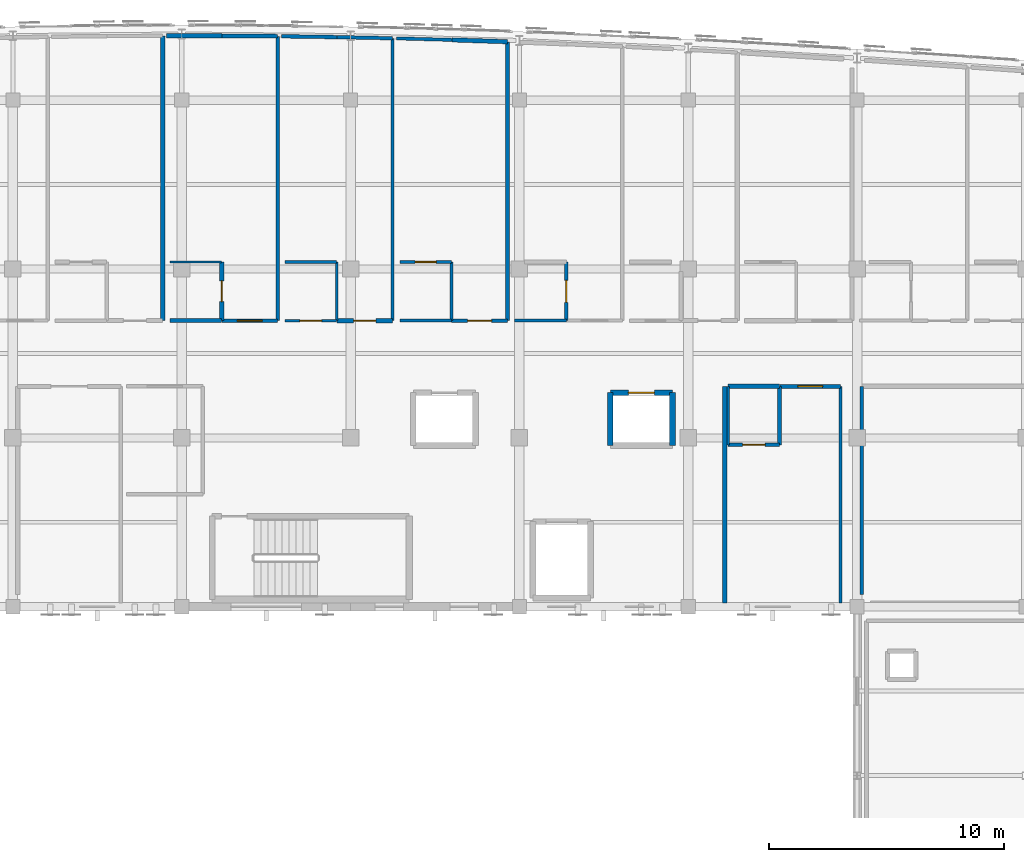
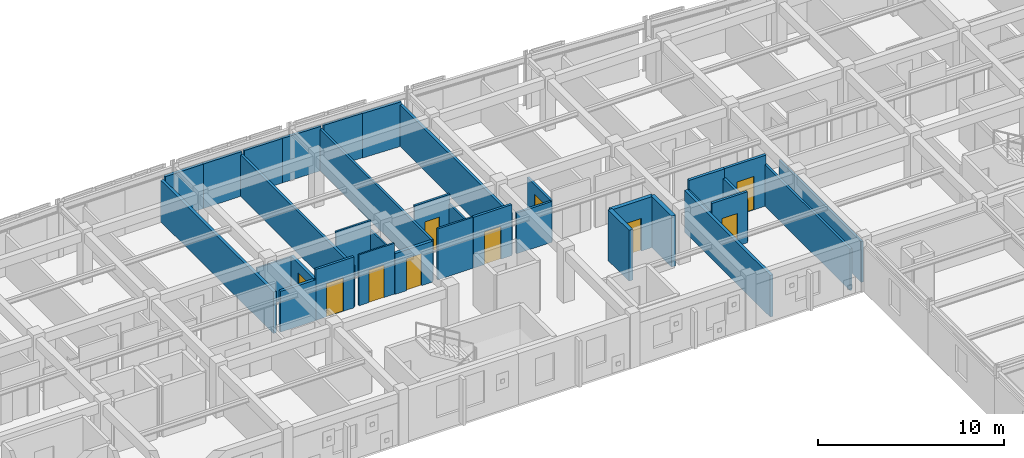
# One storey, part 63 of 73: 35 walls, 10 doors, 10 openings.
"""IFC4 building model written with IfcOpenShell, lengths in metres."""

from ifc_helpers import new_model, si_unit, direction, frame, frame_2d, origin, place, context, subcontext, project, spatial, rectangle, extrude, material, layer, layer_set, type_object, element, fill, save


model = new_model("IFC4")

# Units and contexts
model_context = context("Model", 3, precision=1e-05, world=origin(), true_north=direction((0.0, 1.0)))
body_context = subcontext(model_context, "Body", "Model", "MODEL_VIEW")
ifc_project = project(units=[si_unit("LENGTHUNIT", "METRE"), si_unit("AREAUNIT", "SQUARE_METRE"), si_unit("VOLUMEUNIT", "CUBIC_METRE"), si_unit("PLANEANGLEUNIT", "RADIAN"), si_unit("MASSUNIT", "GRAM", prefix="KILO")], contexts=[model_context])

# Site, building, storey
site_placement = place(None, origin())
site = spatial("IfcSite", under=ifc_project, at=site_placement, CompositionType="ELEMENT")
building_placement = place(site_placement, origin())
building = spatial("IfcBuilding", under=site, at=building_placement, Name="Carrowvane Square Congress Hotel", CompositionType="ELEMENT")
storey_placement = place(building_placement, frame((0.0, 0.0, 19.199951171875)))
storey = spatial("IfcBuildingStorey", under=building, at=storey_placement, Name="L04", CompositionType="ELEMENT", Elevation=19.199951171875)

# Wall, opening, door
ifc_material_1 = material(Name="Acoustic gypsum board", Category="gypsum")
ifc_layer_1 = layer(ifc_material_1, 0.155029296875)
ifc_layer_set_1 = layer_set([ifc_layer_1], Name="Acoustic gypsum board")
wall_type_1 = type_object("IfcWallType", Name="WL-FIR-155", PredefinedType="PARTITIONING", material=ifc_layer_set_1)
wall_1_placement = place(storey_placement, frame((123.5, 98.699951171875, 0.0), z_axis=(0.0, 0.0, 1.0), x_axis=(-1.0, 0.0, 0.0)))
wall_1 = element("IfcWall", 1, at=wall_1_placement, inside=storey, type_object=wall_type_1, Name="L04 En-suite Bathroom 0406 partition", PredefinedType="PARTITIONING", context=body_context, shape_type="SweptSolid", body=[
    extrude(rectangle(XDim=2.199951171875, YDim=0.155029296875, at=frame_2d((1.10009765625, 0.0))), origin(), (0.0, 0.0, 1.0), 3.35009765625),
])
opening_1_placement = place(wall_1_placement, frame((0.6201171875, 0.0, 0.0)))
opening_1 = element("IfcOpeningElement", 2, at=opening_1_placement, cuts=wall_1, Name="Opening ID-05", PredefinedType="OPENING", context=body_context, shape_type="SweptSolid", body=[
    extrude(rectangle(XDim=0.9599609375, YDim=2.139892578125, at=frame_2d((0.47998046875, 1.06982421875))), frame((0.0, 0.08740234375, 0.0), z_axis=(0.0, -1.0, 0.0), x_axis=(1.0, 0.0, 0.0)), (0.0, 0.0, 1.0), 0.175048828125),
])
ifc_material_2 = material(Name="European oak timber", Category="wood")
door_type_1 = type_object("IfcDoorType", Name="DR-INT-0960x2140", OperationType="NOTDEFINED", PredefinedType="DOOR", material=ifc_material_2)
door_1_placement = place(opening_1_placement, origin())
door_1 = element("IfcDoor", 3, at=door_1_placement, inside=storey, type_object=door_type_1, Name="L04 En-suite Bathroom 0406 door", OperationType="SINGLE_SWING_LEFT", OverallHeight=2.139892578125, OverallWidth=0.9599609375, PredefinedType="DOOR", context=body_context, shape_type="SweptSolid", body=[
    extrude(rectangle(XDim=0.9599609375, YDim=2.139892578125, at=frame_2d((0.47998046875, 1.06982421875))), frame((0.0, 0.02490234375, 0.0), z_axis=(0.0, -1.0, 0.0), x_axis=(1.0, 0.0, 0.0)), (0.0, 0.0, 1.0), 0.050048828125),
])
fill(opening_1, door_1)

# Walls
wall_2_placement = place(storey_placement, frame((102.090087890625, 116.125732421875, 0.0), z_axis=(0.0, 0.0, 1.0), x_axis=(0.0, -1.0, 0.0)))
element("IfcWall", 4, at=wall_2_placement, inside=storey, type_object=wall_type_1, Name="L04 Parkview Guest Bedroom 0416 partition", PredefinedType="PARTITIONING", context=body_context, shape_type="SweptSolid", body=[
    extrude(rectangle(XDim=12.125732421875, YDim=0.155029296875, at=frame_2d((6.06298828125, 0.0))), origin(), (0.0, 0.0, 1.0), 2.735107421875),
])
wall_3_placement = place(storey_placement, frame((102.25, 116.1240234375, 0.0), z_axis=(0.0, 0.0, 1.0), x_axis=(0.999891529441, -0.014728521705, 0.0)))
element("IfcWall", 5, at=wall_3_placement, inside=storey, type_object=wall_type_1, Name="L04 Parkview Guest Bedroom 0417 partition", PredefinedType="PARTITIONING", context=body_context, shape_type="SweptSolid", body=[
    extrude(rectangle(XDim=2.370361328125, YDim=0.155029296875, at=frame_2d((1.18505859375, 0.0))), origin(), (0.0, 0.0, 1.0), 2.925537109375),
])

# Wall, opening, door
wall_4_placement = place(storey_placement, frame((111.889892578125, 104.0, 0.0), z_axis=(0.0, 0.0, 1.0), x_axis=(-1.0, 0.0, 0.0)))
wall_4 = element("IfcWall", 6, at=wall_4_placement, inside=storey, type_object=wall_type_1, Name="L04 Parkview Guest Bedroom 0418 partition", PredefinedType="PARTITIONING", context=body_context, shape_type="SweptSolid", body=[
    extrude(rectangle(XDim=2.3798828125, YDim=0.155029296875, at=frame_2d((1.18994140625, 0.0))), origin(), (0.0, 0.0, 1.0), 3.35009765625),
])
opening_2_placement = place(wall_4_placement, frame((0.679931640625, 0.0, 0.0)))
opening_2 = element("IfcOpeningElement", 7, at=opening_2_placement, cuts=wall_4, Name="Opening FD-08", PredefinedType="OPENING", context=body_context, shape_type="SweptSolid", body=[
    extrude(rectangle(XDim=1.02001953125, YDim=2.14990234375, at=frame_2d((0.510009765625, 1.074951171875))), frame((0.0, 0.08740234375, 0.0), z_axis=(0.0, -1.0, 0.0), x_axis=(1.0, 0.0, 0.0)), (0.0, 0.0, 1.0), 0.175048828125),
])
ifc_material_3 = material(Name="European oak timber", Category="wood")
door_type_2 = type_object("IfcDoorType", Name="DR-FD30-1020x2150", OperationType="NOTDEFINED", PredefinedType="DOOR", material=ifc_material_3)
door_2_placement = place(opening_2_placement, origin())
door_2 = element("IfcDoor", 8, at=door_2_placement, inside=storey, type_object=door_type_2, Name="L04 Parkview Guest Bedroom 0418 entrance door", OperationType="SINGLE_SWING_RIGHT", OverallHeight=2.14990234375, OverallWidth=1.02001953125, PredefinedType="DOOR", context=body_context, shape_type="SweptSolid", body=[
    extrude(rectangle(XDim=1.02001953125, YDim=2.14990234375, at=frame_2d((0.510009765625, 1.074951171875))), frame((0.0, 0.02490234375, 0.0), z_axis=(0.0, -1.0, 0.0), x_axis=(1.0, 0.0, 0.0)), (0.0, 0.0, 1.0), 0.050048828125),
])
fill(opening_2, door_2)

# Wall
ifc_material_4 = material(Name="Acoustic gypsum board", Category="gypsum")
ifc_layer_2 = layer(ifc_material_4, 0.169921875)
ifc_layer_set_2 = layer_set([ifc_layer_2], Name="Acoustic gypsum board")
wall_type_2 = type_object("IfcWallType", Name="WL-FIR-170", PredefinedType="PARTITIONING", material=ifc_layer_set_2)
wall_5_placement = place(storey_placement, frame((123.5, 101.199951171875, 0.0), z_axis=(0.0, 0.0, 1.0), x_axis=(0.0, -1.0, 0.0)))
element("IfcWall", 9, at=wall_5_placement, inside=storey, type_object=wall_type_2, Name="L04 En-suite Bathroom 0406 partition", PredefinedType="PARTITIONING", context=body_context, shape_type="SweptSolid", body=[
    extrude(rectangle(XDim=2.5, YDim=0.169921875, at=frame_2d((1.25, 0.0))), origin(), (0.0, 0.0, 1.0), 2.735107421875),
])

# Wall, opening, door
wall_6_placement = place(storey_placement, frame((123.510009765625, 101.199951171875, 0.0), z_axis=(0.0, 0.0, 1.0), x_axis=(1.0, 0.0, 0.0)))
wall_6 = element("IfcWall", 10, at=wall_6_placement, inside=storey, type_object=wall_type_2, Name="L04 Hotel Guest Bedroom 0406 partition", PredefinedType="PARTITIONING", context=body_context, shape_type="SweptSolid", body=[
    extrude(rectangle(XDim=2.580078125, YDim=0.169921875, at=frame_2d((1.2900390625, 0.0))), origin(), (0.0, 0.0, 1.0), 3.35009765625),
])
opening_3_placement = place(wall_6_placement, frame((0.760009765625, 0.0, 0.0)))
opening_3 = element("IfcOpeningElement", 11, at=opening_3_placement, cuts=wall_6, Name="Opening FD-09", PredefinedType="OPENING", context=body_context, shape_type="SweptSolid", body=[
    extrude(rectangle(XDim=1.06005859375, YDim=2.199951171875, at=frame_2d((0.530029296875, 1.10009765625))), frame((0.0, 0.094970703125, 0.0), z_axis=(0.0, -1.0, 0.0), x_axis=(1.0, 0.0, 0.0)), (0.0, 0.0, 1.0), 0.18994140625),
])
ifc_material_5 = material(Name="European oak timber", Category="wood")
door_type_3 = type_object("IfcDoorType", Name="DR-FD30-1060x2200", OperationType="NOTDEFINED", PredefinedType="DOOR", material=ifc_material_5)
door_3_placement = place(opening_3_placement, origin())
door_3 = element("IfcDoor", 12, at=door_3_placement, inside=storey, type_object=door_type_3, Name="L04 Hotel Guest Bedroom 0406 entrance door", OperationType="SINGLE_SWING_RIGHT", OverallHeight=2.199951171875, OverallWidth=1.06005859375, PredefinedType="DOOR", context=body_context, shape_type="SweptSolid", body=[
    extrude(rectangle(XDim=1.06005859375, YDim=2.199951171875, at=frame_2d((0.530029296875, 1.10009765625))), frame((0.0, 0.02490234375, 0.0), z_axis=(0.0, -1.0, 0.0), x_axis=(1.0, 0.0, 0.0)), (0.0, 0.0, 1.0), 0.050048828125),
])
fill(opening_3, door_3)

# Walls
wall_7_placement = place(storey_placement, frame((99.699951171875, 104.0, 0.0), z_axis=(0.0, 0.0, 1.0), x_axis=(-1.0, 0.0, 0.0)))
element("IfcWall", 13, at=wall_7_placement, inside=storey, type_object=wall_type_2, Name="L04 En-suite Bathroom 0416 partition", PredefinedType="PARTITIONING", context=body_context, shape_type="SweptSolid", body=[
    extrude(rectangle(XDim=2.199951171875, YDim=0.169921875, at=frame_2d((1.10009765625, 0.0))), origin(), (0.0, 0.0, 1.0), 2.68505859375),
])
wall_8_placement = place(storey_placement, frame((99.719970703125, 116.144287109375, 0.0), z_axis=(0.0, 0.0, 1.0), x_axis=(0.999969357959, -0.007828355089, 0.0)))
element("IfcWall", 14, at=wall_8_placement, inside=storey, type_object=wall_type_2, Name="L04 Parkview Guest Bedroom 0416 partition", PredefinedType="PARTITIONING", context=body_context, shape_type="SweptSolid", body=[
    extrude(rectangle(XDim=2.3701171875, YDim=0.169921875, at=frame_2d((1.18505859375, 0.0))), origin(), (0.0, 0.0, 1.0), 2.925537109375),
])
wall_9_placement = place(storey_placement, frame((111.889892578125, 115.8916015625, 0.0), z_axis=(0.0, 0.0, 1.0), x_axis=(0.0, -1.0, 0.0)))
element("IfcWall", 15, at=wall_9_placement, inside=storey, type_object=wall_type_2, Name="L04 Parkview Guest Bedroom 0418 partition", PredefinedType="PARTITIONING", context=body_context, shape_type="SweptSolid", body=[
    extrude(rectangle(XDim=11.8916015625, YDim=0.169921875, at=frame_2d((5.94580078125, 0.0))), origin(), (0.0, 0.0, 1.0), 2.735107421875),
])
ifc_material_6 = material(Name="Acoustic gypsum board", Category="gypsum")
ifc_layer_3 = layer(ifc_material_6, 0.18505859375)
ifc_layer_set_3 = layer_set([ifc_layer_3], Name="Acoustic gypsum board")
wall_type_3 = type_object("IfcWallType", Name="WL-FIR-185", PredefinedType="PARTITIONING", material=ifc_layer_set_3)
wall_10_placement = place(storey_placement, frame((121.300048828125, 101.199951171875, 0.0), z_axis=(0.0, 0.0, 1.0), x_axis=(1.0, 0.0, 0.0)))
element("IfcWall", 16, at=wall_10_placement, inside=storey, type_object=wall_type_3, Name="L04 En-suite Bathroom 0406 partition", PredefinedType="PARTITIONING", context=body_context, shape_type="SweptSolid", body=[
    extrude(rectangle(XDim=2.199951171875, YDim=0.18505859375, at=frame_2d((1.10009765625, 0.0))), origin(), (0.0, 0.0, 1.0), 3.35009765625),
])
wall_11_placement = place(storey_placement, frame((121.14990234375, 91.9599609375, 0.0), z_axis=(0.0, 0.0, 1.0), x_axis=(0.0, 1.0, 0.0)))
element("IfcWall", 17, at=wall_11_placement, inside=storey, type_object=wall_type_3, Name="L04 Hotel Guest Bedroom 0406 partition", PredefinedType="PARTITIONING", context=body_context, shape_type="SweptSolid", body=[
    extrude(rectangle(XDim=9.239990234375, YDim=0.18505859375, at=frame_2d((4.6201171875, 0.0))), origin(), (0.0, 0.0, 1.0), 2.735107421875),
])
wall_12_placement = place(storey_placement, frame((97.18994140625, 116.1474609375, 0.0), z_axis=(0.0, 0.0, 1.0), x_axis=(0.0, -1.0, 0.0)))
element("IfcWall", 18, at=wall_12_placement, inside=storey, type_object=wall_type_3, Name="L04 Parkview Guest Bedroom 0415 partition", PredefinedType="PARTITIONING", context=body_context, shape_type="SweptSolid", body=[
    extrude(rectangle(XDim=12.1474609375, YDim=0.18505859375, at=frame_2d((6.07373046875, 0.0))), origin(), (0.0, 0.0, 1.0), 2.735107421875),
])

# Wall, opening, door
wall_13_placement = place(storey_placement, frame((99.699951171875, 106.5, 0.0), z_axis=(0.0, 0.0, 1.0), x_axis=(0.0, -1.0, 0.0)))
wall_13 = element("IfcWall", 19, at=wall_13_placement, inside=storey, type_object=wall_type_3, Name="L04 En-suite Bathroom 0416 partition", PredefinedType="PARTITIONING", context=body_context, shape_type="SweptSolid", body=[
    extrude(rectangle(XDim=2.5, YDim=0.18505859375, at=frame_2d((1.25, 0.0))), origin(), (0.0, 0.0, 1.0), 2.735107421875),
])
opening_4_placement = place(wall_13_placement, frame((0.804931640625, 0.0, 0.0)))
opening_4 = element("IfcOpeningElement", 20, at=opening_4_placement, cuts=wall_13, Name="Opening ID-16", PredefinedType="OPENING", context=body_context, shape_type="SweptSolid", body=[
    extrude(rectangle(XDim=0.889892578125, YDim=2.090087890625, at=frame_2d((0.44482421875, 1.044921875))), frame((0.0, 0.1025390625, 0.0), z_axis=(0.0, -1.0, 0.0), x_axis=(1.0, 0.0, 0.0)), (0.0, 0.0, 1.0), 0.205078125),
])
ifc_material_7 = material(Name="European oak timber", Category="wood")
door_type_4 = type_object("IfcDoorType", Name="DR-INT-0890x2090", OperationType="NOTDEFINED", PredefinedType="DOOR", material=ifc_material_7)
door_4_placement = place(opening_4_placement, origin())
door_4 = element("IfcDoor", 21, at=door_4_placement, inside=storey, type_object=door_type_4, Name="L04 En-suite Bathroom 0416 door", OperationType="SINGLE_SWING_LEFT", OverallHeight=2.090087890625, OverallWidth=0.889892578125, PredefinedType="DOOR", context=body_context, shape_type="SweptSolid", body=[
    extrude(rectangle(XDim=0.889892578125, YDim=2.090087890625, at=frame_2d((0.44482421875, 1.044921875))), frame((0.0, 0.02490234375, 0.0), z_axis=(0.0, -1.0, 0.0), x_axis=(1.0, 0.0, 0.0)), (0.0, 0.0, 1.0), 0.050048828125),
])
fill(opening_4, door_4)

# Wall
wall_14_placement = place(storey_placement, frame((97.35009765625, 116.14794921875, 0.0), z_axis=(0.0, 0.0, 1.0), x_axis=(0.999998806062, -0.00154527476, 0.0)))
element("IfcWall", 22, at=wall_14_placement, inside=storey, type_object=wall_type_3, Name="L04 Parkview Guest Bedroom 0416 partition", PredefinedType="PARTITIONING", context=body_context, shape_type="SweptSolid", body=[
    extrude(rectangle(XDim=2.369873046875, YDim=0.18505859375, at=frame_2d((1.18505859375, 0.0))), origin(), (0.0, 0.0, 1.0), 2.925537109375),
])

# Wall, opening, door
wall_15_placement = place(storey_placement, frame((106.989990234375, 104.0, 0.0), z_axis=(0.0, 0.0, 1.0), x_axis=(-1.0, 0.0, 0.0)))
wall_15 = element("IfcWall", 23, at=wall_15_placement, inside=storey, type_object=wall_type_3, Name="L04 Parkview Guest Bedroom 0417 partition", PredefinedType="PARTITIONING", context=body_context, shape_type="SweptSolid", body=[
    extrude(rectangle(XDim=2.3798828125, YDim=0.18505859375, at=frame_2d((1.18994140625, 0.0))), origin(), (0.0, 0.0, 1.0), 2.68505859375),
])
opening_5_placement = place(wall_15_placement, frame((0.715087890625, 0.0, 0.0)))
opening_5 = element("IfcOpeningElement", 24, at=opening_5_placement, cuts=wall_15, Name="Opening FD-06", PredefinedType="OPENING", context=body_context, shape_type="SweptSolid", body=[
    extrude(rectangle(XDim=0.949951171875, YDim=2.10009765625, at=frame_2d((0.47509765625, 1.050048828125))), frame((0.0, 0.1025390625, 0.0), z_axis=(0.0, -1.0, 0.0), x_axis=(1.0, 0.0, 0.0)), (0.0, 0.0, 1.0), 0.205078125),
])
ifc_material_8 = material(Name="European oak timber", Category="wood")
door_type_5 = type_object("IfcDoorType", Name="DR-FD30-0950x2100", OperationType="NOTDEFINED", PredefinedType="DOOR", material=ifc_material_8)
door_5_placement = place(opening_5_placement, origin())
door_5 = element("IfcDoor", 25, at=door_5_placement, inside=storey, type_object=door_type_5, Name="L04 Parkview Guest Bedroom 0417 entrance door", OperationType="SINGLE_SWING_RIGHT", OverallHeight=2.10009765625, OverallWidth=0.949951171875, PredefinedType="DOOR", context=body_context, shape_type="SweptSolid", body=[
    extrude(rectangle(XDim=0.949951171875, YDim=2.10009765625, at=frame_2d((0.47509765625, 1.050048828125))), frame((0.0, 0.02490234375, 0.0), z_axis=(0.0, -1.0, 0.0), x_axis=(1.0, 0.0, 0.0)), (0.0, 0.0, 1.0), 0.050048828125),
])
fill(opening_5, door_5)

# Walls
wall_16_placement = place(storey_placement, frame((109.52001953125, 115.970703125, 0.0), z_axis=(0.0, 0.0, 1.0), x_axis=(0.99944342042, -0.033359397158, 0.0)))
element("IfcWall", 26, at=wall_16_placement, inside=storey, type_object=wall_type_3, Name="L04 Parkview Guest Bedroom 0418 partition", PredefinedType="PARTITIONING", context=body_context, shape_type="SweptSolid", body=[
    extrude(rectangle(XDim=2.37109375, YDim=0.18505859375, at=frame_2d((1.185546875, 0.0))), origin(), (0.0, 0.0, 1.0), 2.925537109375),
])
ifc_material_9 = material(Name="Acoustic gypsum board", Category="gypsum")
ifc_layer_4 = layer(ifc_material_9, 0.097900390625)
ifc_layer_set_4 = layer_set([ifc_layer_4], Name="Acoustic gypsum board")
wall_type_4 = type_object("IfcWallType", Name="WL-PRT-098", PredefinedType="PARTITIONING", material=ifc_layer_set_4)
wall_17_placement = place(storey_placement, frame((121.300048828125, 98.699951171875, 0.0), z_axis=(0.0, 0.0, 1.0), x_axis=(0.0, 1.0, 0.0)))
element("IfcWall", 27, at=wall_17_placement, inside=storey, type_object=wall_type_4, Name="L04 En-suite Bathroom 0406 partition", PredefinedType="PARTITIONING", context=body_context, shape_type="SweptSolid", body=[
    extrude(rectangle(XDim=2.5, YDim=0.097900390625, at=frame_2d((1.25, 0.0))), origin(), (0.0, 0.0, 1.0), 2.735107421875),
])
wall_18_placement = place(storey_placement, frame((97.5, 106.5, 0.0), z_axis=(0.0, 0.0, 1.0), x_axis=(1.0, 0.0, 0.0)))
element("IfcWall", 28, at=wall_18_placement, inside=storey, type_object=wall_type_4, Name="L04 En-suite Bathroom 0416 partition", PredefinedType="PARTITIONING", context=body_context, shape_type="SweptSolid", body=[
    extrude(rectangle(XDim=2.199951171875, YDim=0.097900390625, at=frame_2d((1.10009765625, 0.0))), origin(), (0.0, 0.0, 1.0), 2.68505859375),
])

# Wall, opening, door
wall_19_placement = place(storey_placement, frame((104.60009765625, 104.0, 0.0), z_axis=(0.0, 0.0, 1.0), x_axis=(-1.0, 0.0, 0.0)))
wall_19 = element("IfcWall", 29, at=wall_19_placement, inside=storey, type_object=wall_type_4, Name="L04 En-suite Bathroom 0417 partition", PredefinedType="PARTITIONING", context=body_context, shape_type="SweptSolid", body=[
    extrude(rectangle(XDim=2.2001953125, YDim=0.097900390625, at=frame_2d((1.10009765625, 0.0))), origin(), (0.0, 0.0, 1.0), 3.35009765625),
])
opening_6_placement = place(wall_19_placement, frame((0.635009765625, 0.0, 0.0)))
opening_6 = element("IfcOpeningElement", 30, at=opening_6_placement, cuts=wall_19, Name="Opening ID-18", PredefinedType="OPENING", context=body_context, shape_type="SweptSolid", body=[
    extrude(rectangle(XDim=0.929931640625, YDim=2.1298828125, at=frame_2d((0.46484375, 1.06494140625))), frame((0.0, 0.058837890625, 0.0), z_axis=(0.0, -1.0, 0.0), x_axis=(1.0, 0.0, 0.0)), (0.0, 0.0, 1.0), 0.117919921875),
])
ifc_material_10 = material(Name="European oak timber", Category="wood")
door_type_6 = type_object("IfcDoorType", Name="DR-INT-0930x2130", OperationType="NOTDEFINED", PredefinedType="DOOR", material=ifc_material_10)
door_6_placement = place(opening_6_placement, origin())
door_6 = element("IfcDoor", 31, at=door_6_placement, inside=storey, type_object=door_type_6, Name="L04 En-suite Bathroom 0417 door", OperationType="SINGLE_SWING_LEFT", OverallHeight=2.1298828125, OverallWidth=0.929931640625, PredefinedType="DOOR", context=body_context, shape_type="SweptSolid", body=[
    extrude(rectangle(XDim=0.929931640625, YDim=2.1298828125, at=frame_2d((0.46484375, 1.06494140625))), frame((0.0, 0.02490234375, 0.0), z_axis=(0.0, -1.0, 0.0), x_axis=(1.0, 0.0, 0.0)), (0.0, 0.0, 1.0), 0.050048828125),
])
fill(opening_6, door_6)

# Walls
ifc_material_11 = material(Name="Acoustic gypsum board", Category="gypsum")
ifc_layer_5 = layer(ifc_material_11, 0.10791015625)
ifc_layer_set_5 = layer_set([ifc_layer_5], Name="Acoustic gypsum board")
wall_type_5 = type_object("IfcWallType", Name="WL-PRT-108", PredefinedType="PARTITIONING", material=ifc_layer_set_5)
wall_20_placement = place(storey_placement, frame((104.60009765625, 106.5, 0.0), z_axis=(0.0, 0.0, 1.0), x_axis=(0.0, -1.0, 0.0)))
element("IfcWall", 32, at=wall_20_placement, inside=storey, type_object=wall_type_5, Name="L04 En-suite Bathroom 0417 partition", PredefinedType="PARTITIONING", context=body_context, shape_type="SweptSolid", body=[
    extrude(rectangle(XDim=2.5, YDim=0.10791015625, at=frame_2d((1.25, 0.0))), origin(), (0.0, 0.0, 1.0), 2.735107421875),
])
ifc_material_12 = material(Name="Acoustic gypsum board", Category="gypsum")
ifc_layer_6 = layer(ifc_material_12, 0.117919921875)
ifc_layer_set_6 = layer_set([ifc_layer_6], Name="Acoustic gypsum board")
wall_type_6 = type_object("IfcWallType", Name="WL-PRT-118", PredefinedType="PARTITIONING", material=ifc_layer_set_6)
wall_21_placement = place(storey_placement, frame((102.39990234375, 106.5, 0.0), z_axis=(0.0, 0.0, 1.0), x_axis=(1.0, 0.0, 0.0)))
element("IfcWall", 33, at=wall_21_placement, inside=storey, type_object=wall_type_6, Name="L04 En-suite Bathroom 0417 partition", PredefinedType="PARTITIONING", context=body_context, shape_type="SweptSolid", body=[
    extrude(rectangle(XDim=2.2001953125, YDim=0.117919921875, at=frame_2d((1.10009765625, 0.0))), origin(), (0.0, 0.0, 1.0), 3.35009765625),
])
wall_22_placement = place(storey_placement, frame((109.5, 104.0, 0.0), z_axis=(0.0, 0.0, 1.0), x_axis=(-1.0, 0.0, 0.0)))
element("IfcWall", 34, at=wall_22_placement, inside=storey, type_object=wall_type_6, Name="L04 En-suite Bathroom 0418 partition", PredefinedType="PARTITIONING", context=body_context, shape_type="SweptSolid", body=[
    extrude(rectangle(XDim=2.199951171875, YDim=0.117919921875, at=frame_2d((1.10009765625, 0.0))), origin(), (0.0, 0.0, 1.0), 3.35009765625),
])
ifc_material_13 = material(Name="Acoustic gypsum board", Category="gypsum")
ifc_layer_7 = layer(ifc_material_13, 0.1279296875)
ifc_layer_set_7 = layer_set([ifc_layer_7], Name="Acoustic gypsum board")
wall_type_7 = type_object("IfcWallType", Name="WL-PRT-128", PredefinedType="PARTITIONING", material=ifc_layer_set_7)
wall_23_placement = place(storey_placement, frame((109.5, 106.5, 0.0), z_axis=(0.0, 0.0, 1.0), x_axis=(0.0, -1.0, 0.0)))
element("IfcWall", 35, at=wall_23_placement, inside=storey, type_object=wall_type_7, Name="L04 En-suite Bathroom 0418 partition", PredefinedType="PARTITIONING", context=body_context, shape_type="SweptSolid", body=[
    extrude(rectangle(XDim=2.5, YDim=0.1279296875, at=frame_2d((1.25, 0.0))), origin(), (0.0, 0.0, 1.0), 2.735107421875),
])
ifc_material_14 = material(Name="Acoustic gypsum board", Category="gypsum")
ifc_layer_8 = layer(ifc_material_14, 0.137939453125)
ifc_layer_set_8 = layer_set([ifc_layer_8], Name="Acoustic gypsum board")
wall_type_8 = type_object("IfcWallType", Name="WL-PRT-138", PredefinedType="PARTITIONING", material=ifc_layer_set_8)
wall_24_placement = place(storey_placement, frame((127.0, 92.320068359375, 0.0), z_axis=(0.0, 0.0, 1.0), x_axis=(0.0, 1.0, 0.0)))
element("IfcWall", 36, at=wall_24_placement, inside=storey, type_object=wall_type_8, Name="L04 L04 East Delegate Linen and Service Room partition", PredefinedType="PARTITIONING", context=body_context, shape_type="SweptSolid", body=[
    extrude(rectangle(XDim=8.8798828125, YDim=0.137939453125, at=frame_2d((4.43994140625, 0.0))), origin(), (0.0, 0.0, 1.0), 2.68505859375),
])
wall_25_placement = place(storey_placement, frame((126.090087890625, 101.199951171875, 0.0), z_axis=(0.0, 0.0, 1.0), x_axis=(0.0, -1.0, 0.0)))
element("IfcWall", 37, at=wall_25_placement, inside=storey, type_object=wall_type_8, Name="L04 Hotel Guest Bedroom 0406 partition", PredefinedType="PARTITIONING", context=body_context, shape_type="SweptSolid", body=[
    extrude(rectangle(XDim=9.239990234375, YDim=0.137939453125, at=frame_2d((4.6201171875, 0.0))), origin(), (0.0, 0.0, 1.0), 2.735107421875),
])
wall_26_placement = place(storey_placement, frame((106.989990234375, 116.03955078125, 0.0), z_axis=(0.0, 0.0, 1.0), x_axis=(0.0, -1.0, 0.0)))
element("IfcWall", 38, at=wall_26_placement, inside=storey, type_object=wall_type_8, Name="L04 Parkview Guest Bedroom 0417 partition", PredefinedType="PARTITIONING", context=body_context, shape_type="SweptSolid", body=[
    extrude(rectangle(XDim=12.03955078125, YDim=0.137939453125, at=frame_2d((6.019775390625, 0.0))), origin(), (0.0, 0.0, 1.0), 2.735107421875),
])

# Wall, opening, door
wall_27_placement = place(storey_placement, frame((107.300048828125, 106.5, 0.0), z_axis=(0.0, 0.0, 1.0), x_axis=(1.0, 0.0, 0.0)))
wall_27 = element("IfcWall", 39, at=wall_27_placement, inside=storey, type_object=wall_type_8, Name="L04 En-suite Bathroom 0418 partition", PredefinedType="PARTITIONING", context=body_context, shape_type="SweptSolid", body=[
    extrude(rectangle(XDim=2.199951171875, YDim=0.137939453125, at=frame_2d((1.10009765625, 0.0))), origin(), (0.0, 0.0, 1.0), 3.35009765625),
])
opening_7_placement = place(wall_27_placement, frame((0.64990234375, 0.0, 0.0)))
opening_7 = element("IfcOpeningElement", 40, at=opening_7_placement, cuts=wall_27, Name="Opening ID-02", PredefinedType="OPENING", context=body_context, shape_type="SweptSolid", body=[
    extrude(rectangle(XDim=0.89990234375, YDim=2.080078125, at=frame_2d((0.449951171875, 1.0400390625))), frame((0.0, 0.078857421875, 0.0), z_axis=(0.0, -1.0, 0.0), x_axis=(1.0, 0.0, 0.0)), (0.0, 0.0, 1.0), 0.157958984375),
])
ifc_material_15 = material(Name="European oak timber", Category="wood")
door_type_7 = type_object("IfcDoorType", Name="DR-INT-0900x2080", OperationType="NOTDEFINED", PredefinedType="DOOR", material=ifc_material_15)
door_7_placement = place(opening_7_placement, origin())
door_7 = element("IfcDoor", 41, at=door_7_placement, inside=storey, type_object=door_type_7, Name="L04 En-suite Bathroom 0418 door", OperationType="SINGLE_SWING_LEFT", OverallHeight=2.080078125, OverallWidth=0.89990234375, PredefinedType="DOOR", context=body_context, shape_type="SweptSolid", body=[
    extrude(rectangle(XDim=0.89990234375, YDim=2.080078125, at=frame_2d((0.449951171875, 1.0400390625))), frame((0.0, 0.02490234375, 0.0), z_axis=(0.0, -1.0, 0.0), x_axis=(1.0, 0.0, 0.0)), (0.0, 0.0, 1.0), 0.050048828125),
])
fill(opening_7, door_7)

# Walls
wall_28_placement = place(storey_placement, frame((107.14990234375, 116.035888671875, 0.0), z_axis=(0.0, 0.0, 1.0), x_axis=(0.999622004443, -0.027492694189, 0.0)))
element("IfcWall", 42, at=wall_28_placement, inside=storey, type_object=wall_type_8, Name="L04 Parkview Guest Bedroom 0418 partition", PredefinedType="PARTITIONING", context=body_context, shape_type="SweptSolid", body=[
    extrude(rectangle(XDim=2.37109375, YDim=0.137939453125, at=frame_2d((1.185546875, 0.0))), origin(), (0.0, 0.0, 1.0), 2.925537109375),
])
wall_29_placement = place(storey_placement, frame((114.39990234375, 104.0, 0.0), z_axis=(0.0, 0.0, 1.0), x_axis=(-1.0, 0.0, 0.0)))
element("IfcWall", 43, at=wall_29_placement, inside=storey, type_object=wall_type_8, Name="L04 En-suite Bathroom 0419 partition", PredefinedType="PARTITIONING", context=body_context, shape_type="SweptSolid", body=[
    extrude(rectangle(XDim=2.199951171875, YDim=0.137939453125, at=frame_2d((1.10009765625, 0.0))), origin(), (0.0, 0.0, 1.0), 2.68505859375),
])

# Wall, opening, door
ifc_material_16 = material(Name="Acoustic gypsum board", Category="gypsum")
ifc_layer_9 = layer(ifc_material_16, 0.14794921875)
ifc_layer_set_9 = layer_set([ifc_layer_9], Name="Acoustic gypsum board")
wall_type_9 = type_object("IfcWallType", Name="WL-PRT-148", PredefinedType="PARTITIONING", material=ifc_layer_set_9)
wall_30_placement = place(storey_placement, frame((102.090087890625, 104.0, 0.0), z_axis=(0.0, 0.0, 1.0), x_axis=(-1.0, 0.0, 0.0)))
wall_30 = element("IfcWall", 44, at=wall_30_placement, inside=storey, type_object=wall_type_9, Name="L04 Parkview Guest Bedroom 0416 partition", PredefinedType="PARTITIONING", context=body_context, shape_type="SweptSolid", body=[
    extrude(rectangle(XDim=2.380126953125, YDim=0.14794921875, at=frame_2d((1.18994140625, 0.0))), origin(), (0.0, 0.0, 1.0), 3.35009765625),
])
opening_8_placement = place(wall_30_placement, frame((0.659912109375, 0.0, 0.0)))
opening_8 = element("IfcOpeningElement", 45, at=opening_8_placement, cuts=wall_30, Name="Opening FD-09", PredefinedType="OPENING", context=body_context, shape_type="SweptSolid", body=[
    extrude(rectangle(XDim=1.06005859375, YDim=2.199951171875, at=frame_2d((0.530029296875, 1.10009765625))), frame((0.0, 0.083984375, 0.0), z_axis=(0.0, -1.0, 0.0), x_axis=(1.0, 0.0, 0.0)), (0.0, 0.0, 1.0), 0.16796875),
])
door_8_placement = place(opening_8_placement, origin())
door_8 = element("IfcDoor", 46, at=door_8_placement, inside=storey, type_object=door_type_3, Name="L04 Parkview Guest Bedroom 0416 entrance door", OperationType="SINGLE_SWING_RIGHT", OverallHeight=2.199951171875, OverallWidth=1.06005859375, PredefinedType="DOOR", context=body_context, shape_type="SweptSolid", body=[
    extrude(rectangle(XDim=1.06005859375, YDim=2.199951171875, at=frame_2d((0.530029296875, 1.10009765625))), frame((0.0, 0.02490234375, 0.0), z_axis=(0.0, -1.0, 0.0), x_axis=(1.0, 0.0, 0.0)), (0.0, 0.0, 1.0), 0.050048828125),
])
fill(opening_8, door_8)

# Wall
wall_31_placement = place(storey_placement, frame((104.6201171875, 116.089111328125, 0.0), z_axis=(0.0, 0.0, 1.0), x_axis=(0.999781400282, -0.020908171861, 0.0)))
element("IfcWall", 47, at=wall_31_placement, inside=storey, type_object=wall_type_9, Name="L04 Parkview Guest Bedroom 0417 partition", PredefinedType="PARTITIONING", context=body_context, shape_type="SweptSolid", body=[
    extrude(rectangle(XDim=2.370361328125, YDim=0.14794921875, at=frame_2d((1.18505859375, 0.0))), origin(), (0.0, 0.0, 1.0), 2.925537109375),
])

# Wall, opening, door
wall_32_placement = place(storey_placement, frame((114.39990234375, 106.5, 0.0), z_axis=(0.0, 0.0, 1.0), x_axis=(0.0, -1.0, 0.0)))
wall_32 = element("IfcWall", 48, at=wall_32_placement, inside=storey, type_object=wall_type_9, Name="L04 En-suite Bathroom 0419 partition", PredefinedType="PARTITIONING", context=body_context, shape_type="SweptSolid", body=[
    extrude(rectangle(XDim=2.5, YDim=0.14794921875, at=frame_2d((1.25, 0.0))), origin(), (0.0, 0.0, 1.0), 2.735107421875),
])
opening_9_placement = place(wall_32_placement, frame((0.780029296875, 0.0, 0.0)))
opening_9 = element("IfcOpeningElement", 49, at=opening_9_placement, cuts=wall_32, Name="Opening ID-04", PredefinedType="OPENING", context=body_context, shape_type="SweptSolid", body=[
    extrude(rectangle(XDim=0.93994140625, YDim=2.1201171875, at=frame_2d((0.469970703125, 1.06005859375))), frame((0.0, 0.083984375, 0.0), z_axis=(0.0, -1.0, 0.0), x_axis=(1.0, 0.0, 0.0)), (0.0, 0.0, 1.0), 0.16796875),
])
ifc_material_17 = material(Name="European oak timber", Category="wood")
door_type_8 = type_object("IfcDoorType", Name="DR-INT-0940x2120", OperationType="NOTDEFINED", PredefinedType="DOOR", material=ifc_material_17)
door_9_placement = place(opening_9_placement, origin())
door_9 = element("IfcDoor", 50, at=door_9_placement, inside=storey, type_object=door_type_8, Name="L04 En-suite Bathroom 0419 door", OperationType="SINGLE_SWING_LEFT", OverallHeight=2.1201171875, OverallWidth=0.93994140625, PredefinedType="DOOR", context=body_context, shape_type="SweptSolid", body=[
    extrude(rectangle(XDim=0.93994140625, YDim=2.1201171875, at=frame_2d((0.469970703125, 1.06005859375))), frame((0.0, 0.02490234375, 0.0), z_axis=(0.0, -1.0, 0.0), x_axis=(1.0, 0.0, 0.0)), (0.0, 0.0, 1.0), 0.050048828125),
])
fill(opening_9, door_9)

# Wall
ifc_material_18 = material(Name="Concrete C40/50", Category="concrete")
ifc_layer_10 = layer(ifc_material_18, 0.25)
ifc_layer_set_10 = layer_set([ifc_layer_10], Name="Concrete C40/50")
wall_type_10 = type_object("IfcWallType", Name="WL-SHR-250", PredefinedType="SHEAR", material=ifc_layer_set_10)
wall_33_placement = place(storey_placement, frame((118.925048828125, 98.675048828125, 0.0), z_axis=(0.0, 0.0, 1.0), x_axis=(0.0, 1.0, 0.0)))
element("IfcWall", 51, at=wall_33_placement, inside=storey, type_object=wall_type_10, Name="L04 HL-4 shaft wall east", PredefinedType="SHEAR", context=body_context, shape_type="SweptSolid", body=[
    extrude(rectangle(XDim=2.25, YDim=0.25, at=frame_2d((1.125, 0.0))), origin(), (0.0, 0.0, 1.0), 3.35009765625),
])

# Wall, opening, door
wall_34_placement = place(storey_placement, frame((118.925048828125, 100.925048828125, 0.0), z_axis=(0.0, 0.0, 1.0), x_axis=(-1.0, 0.0, 0.0)))
wall_34 = element("IfcWall", 52, at=wall_34_placement, inside=storey, type_object=wall_type_10, Name="L04 HL-4 shaft wall north", PredefinedType="SHEAR", context=body_context, shape_type="SweptSolid", body=[
    extrude(rectangle(XDim=2.650146484375, YDim=0.25, at=frame_2d((1.3251953125, 0.0))), origin(), (0.0, 0.0, 1.0), 3.35009765625),
])
opening_10_placement = place(wall_34_placement, frame((0.77490234375, 0.0, 0.0)))
opening_10 = element("IfcOpeningElement", 53, at=opening_10_placement, cuts=wall_34, Name="Opening LD-HL-4", PredefinedType="OPENING", context=body_context, shape_type="SweptSolid", body=[
    extrude(rectangle(XDim=1.10009765625, YDim=2.14990234375, at=frame_2d((0.550048828125, 1.074951171875))), frame((0.0, 0.135009765625, 0.0), z_axis=(0.0, -1.0, 0.0), x_axis=(1.0, 0.0, 0.0)), (0.0, 0.0, 1.0), 0.27001953125),
])
ifc_material_19 = material(Name="Stainless steel 316", Category="steel")
door_type_9 = type_object("IfcDoorType", Name="DR-LD-1100x2150", OperationType="DOUBLE_DOOR_SLIDING", PredefinedType="DOOR", material=ifc_material_19)
door_10_placement = place(opening_10_placement, origin())
door_10 = element("IfcDoor", 54, at=door_10_placement, inside=storey, type_object=door_type_9, Name="L04 HL-4 sliding lift landing door", OperationType="DOUBLE_DOOR_SLIDING", OverallHeight=2.14990234375, OverallWidth=1.10009765625, PredefinedType="DOOR", context=body_context, shape_type="SweptSolid", body=[
    extrude(rectangle(XDim=1.10009765625, YDim=2.14990234375, at=frame_2d((0.550048828125, 1.074951171875))), frame((0.0, 0.02490234375, 0.0), z_axis=(0.0, -1.0, 0.0), x_axis=(1.0, 0.0, 0.0)), (0.0, 0.0, 1.0), 0.050048828125),
])
fill(opening_10, door_10)

# Wall
wall_35_placement = place(storey_placement, frame((116.27490234375, 100.925048828125, 0.0), z_axis=(0.0, 0.0, 1.0), x_axis=(0.0, -1.0, 0.0)))
element("IfcWall", 55, at=wall_35_placement, inside=storey, type_object=wall_type_10, Name="L04 HL-4 shaft wall west", PredefinedType="SHEAR", context=body_context, shape_type="SweptSolid", body=[
    extrude(rectangle(XDim=2.25, YDim=0.25, at=frame_2d((1.125, 0.0))), origin(), (0.0, 0.0, 1.0), 3.35009765625),
])

save(model, "model.ifc")
